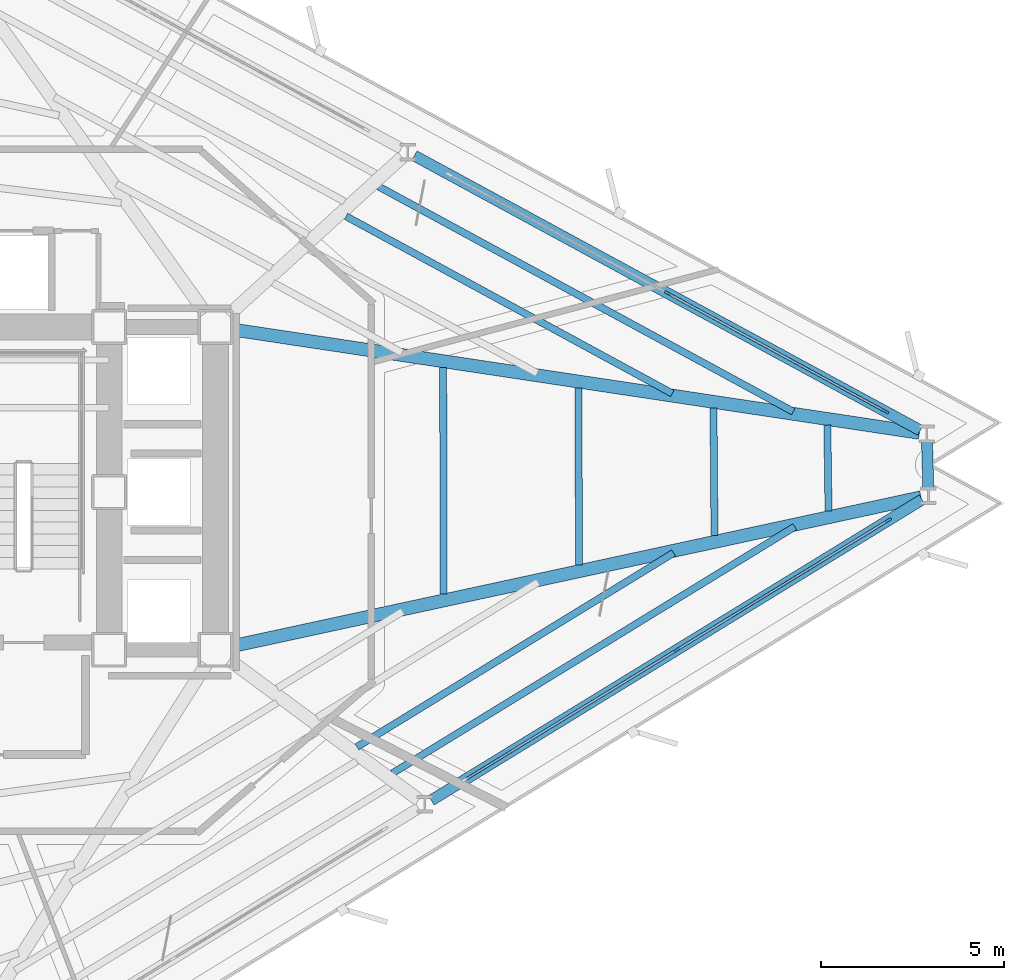
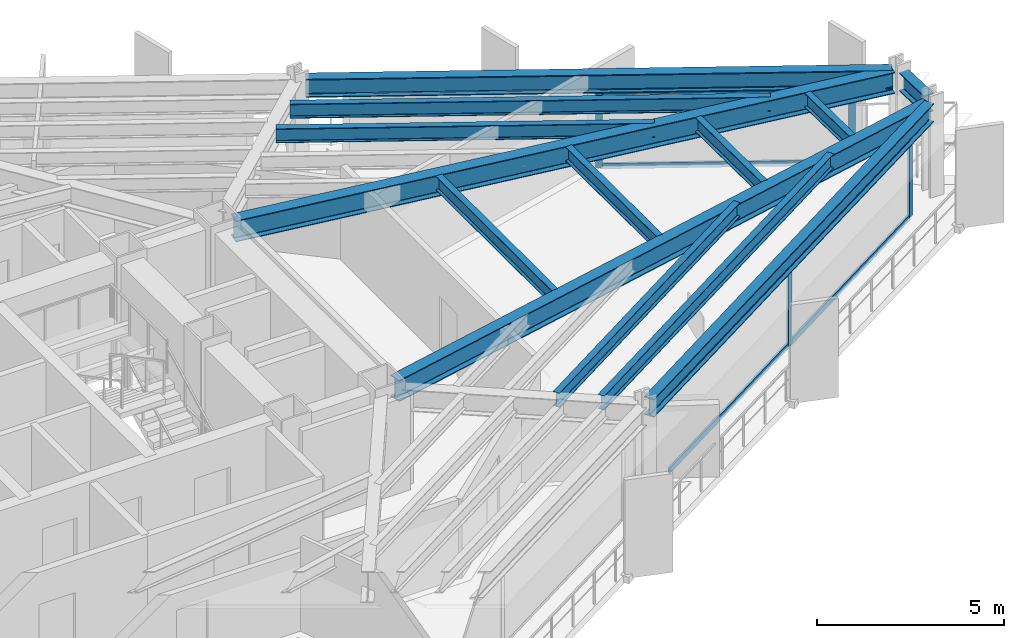
# One storey, part 4 of 14: 13 beams, 10 members, 2 elements without a shape of their own.
"""IFC4 building model written with IfcOpenShell, lengths in metres."""

from ifc_helpers import new_model, si_unit, direction, frame, origin, origin_2d, place, context, subcontext, project, spatial, rectangle, i_section, extrude, material, layer, layer_set, material_profile, profile_set, type_object, element, aggregate, save


model = new_model("IFC4")

# Units and contexts
model_context = context("Model", 3, precision=1e-05, world=origin(), true_north=direction((0.0, 1.0)))
body_context = subcontext(model_context, "Body", "Model", "MODEL_VIEW")
ifc_project = project(units=[si_unit("LENGTHUNIT", "METRE"), si_unit("AREAUNIT", "SQUARE_METRE"), si_unit("VOLUMEUNIT", "CUBIC_METRE"), si_unit("PLANEANGLEUNIT", "RADIAN"), si_unit("MASSUNIT", "GRAM", prefix="KILO")], contexts=[model_context])

# Site, building, storey
site_placement = place(None, origin())
site = spatial("IfcSite", under=ifc_project, at=site_placement, CompositionType="ELEMENT")
building_placement = place(site_placement, origin())
building = spatial("IfcBuilding", under=site, at=building_placement, Name="Rocaltana Carrier Exchange", CompositionType="ELEMENT")
storey_placement = place(building_placement, frame((0.0, 0.0, 35.679931640625)))
storey = spatial("IfcBuildingStorey", under=building, at=storey_placement, Name="L11", CompositionType="ELEMENT", Elevation=35.679931640625)

# Curtain wall, members
ifc_material_1 = material(Name="Aluminium 6063-T6", Category="aluminium")
ifc_layer = layer(ifc_material_1, 0.179931640625)
ifc_layer_set = layer_set([ifc_layer], Name="Aluminium 6063-T6")
curtain_wall_type = type_object("IfcCurtainWallType", Name="Sandstone Spandrel Unitised Curtain Wall CW-01", PredefinedType="NOTDEFINED", material=ifc_layer_set)
curtain_wall_1_placement = place(storey_placement, origin())
curtain_wall_1 = element("IfcCurtainWall", 1, at=curtain_wall_1_placement, inside=storey, type_object=curtain_wall_type, Name="L11 CW-01 Run CW-L11-F1S1", PredefinedType="NOTDEFINED")
ifc_material_2 = material(Name="Aluminium 6063-T6", Category="aluminium")
ifc_material_profile_1 = material_profile(ifc_material_2, rectangle(XDim=0.06494140625, YDim=0.179931640625, at=origin_2d()), Name="AL-65X180")
ifc_profile_set_1 = profile_set([ifc_material_profile_1], Name="Aluminium 6063-T6")
member_type_1 = type_object("IfcMemberType", Name="CW-01 Mullion AL-65X180", PredefinedType="MULLION", material=ifc_profile_set_1)
member_1_placement = place(storey_placement, frame((27.213623046875, 2.19677734375, 0.0), z_axis=(0.0, 0.0, 1.0), x_axis=(-0.477161473226, -0.878815639636, 0.0)))
member_1 = element("IfcMember", 2, at=member_1_placement, type_object=member_type_1, Name="CW-01 mullion 1", PredefinedType="MULLION", context=body_context, shape_type="SweptSolid", body=[
    extrude(rectangle(XDim=0.06494140625, YDim=0.179931640625, at=origin_2d()), origin(), (0.0, 0.0, 1.0), 2.47802734375),
])
member_2_placement = place(storey_placement, frame((21.26611328125, 5.426025390625, 0.0), z_axis=(0.0, 0.0, 1.0), x_axis=(-0.477161473226, -0.878815639636, 0.0)))
member_2 = element("IfcMember", 3, at=member_2_placement, type_object=member_type_1, Name="CW-01 mullion 2", PredefinedType="MULLION", context=body_context, shape_type="SweptSolid", body=[
    extrude(rectangle(XDim=0.06494140625, YDim=0.179931640625, at=origin_2d()), origin(), (0.0, 0.0, 1.0), 2.47802734375),
])

curtain_wall_2_placement = place(storey_placement, origin())
curtain_wall_2 = element("IfcCurtainWall", 4, at=curtain_wall_2_placement, inside=storey, type_object=curtain_wall_type, Name="L11 CW-01 Run CW-L11-F3S3", PredefinedType="NOTDEFINED")
member_3_placement = place(storey_placement, frame((21.52099609375, -4.3056640625, 0.0), z_axis=(0.0, 0.0, 1.0), x_axis=(-0.522499812415, 0.852639399762, 0.0)))
member_3 = element("IfcMember", 5, at=member_3_placement, type_object=member_type_1, Name="CW-01 mullion 2", PredefinedType="MULLION", context=body_context, shape_type="SweptSolid", body=[
    extrude(rectangle(XDim=0.06494140625, YDim=0.179931640625, at=origin_2d()), origin(), (0.0, 0.0, 1.0), 2.47802734375),
])
member_4_placement = place(storey_placement, frame((27.291259765625, -0.76953125, 0.0), z_axis=(0.0, 0.0, 1.0), x_axis=(-0.522499812415, 0.852639399762, 0.0)))
member_4 = element("IfcMember", 6, at=member_4_placement, type_object=member_type_1, Name="CW-01 mullion 3", PredefinedType="MULLION", context=body_context, shape_type="SweptSolid", body=[
    extrude(rectangle(XDim=0.06494140625, YDim=0.179931640625, at=origin_2d()), origin(), (0.0, 0.0, 1.0), 2.47802734375),
])

# Member
ifc_material_3 = material(Name="Aluminium 6063-T6", Category="aluminium")
ifc_material_profile_2 = material_profile(ifc_material_3, rectangle(XDim=0.06494140625, YDim=0.179931640625, at=origin_2d()), Name="AL-65X180")
ifc_profile_set_2 = profile_set([ifc_material_profile_2], Name="Aluminium 6063-T6")
member_type_2 = type_object("IfcMemberType", Name="CW-01 Transom AL-65X180", PredefinedType="USERDEFINED", material=ifc_profile_set_2)
member_5_placement = place(storey_placement, frame((27.18505859375, 2.21240234375, 0.032470703125), z_axis=(-0.878830739565, 0.477133661772, 0.0), x_axis=(-0.477133661772, -0.878830739565, 0.0)))
member_5 = element("IfcMember", 7, at=member_5_placement, type_object=member_type_2, Name="CW-01 transom 1.1", ObjectType="TRANSOM", PredefinedType="USERDEFINED", context=body_context, shape_type="SweptSolid", body=[
    extrude(rectangle(XDim=0.06494140625, YDim=0.179931640625, at=origin_2d()), origin(), (0.0, 0.0, 1.0), 6.70263671875),
])

member_6_placement = place(storey_placement, frame((27.18505859375, 2.21240234375, 2.445556640625), z_axis=(-0.878830739565, 0.477133661772, 0.0), x_axis=(-0.477133661772, -0.878830739565, 0.0)))
member_6 = element("IfcMember", 8, at=member_6_placement, type_object=member_type_2, Name="CW-01 transom 1.2", ObjectType="TRANSOM", PredefinedType="USERDEFINED", context=body_context, shape_type="SweptSolid", body=[
    extrude(rectangle(XDim=0.06494140625, YDim=0.179931640625, at=origin_2d()), origin(), (0.0, 0.0, 1.0), 6.70263671875),
])

aggregate(curtain_wall_1, [member_1, member_2, member_5, member_6])

member_7_placement = place(storey_placement, frame((15.7783203125, -7.82470703125, 0.032470703125), z_axis=(0.85263109068, 0.522513371318, 0.0), x_axis=(-0.522513371318, 0.85263109068, 0.0)))
member_7 = element("IfcMember", 9, at=member_7_placement, type_object=member_type_2, Name="CW-01 transom 1.1", ObjectType="TRANSOM", PredefinedType="USERDEFINED", context=body_context, shape_type="SweptSolid", body=[
    extrude(rectangle(XDim=0.06494140625, YDim=0.179931640625, at=origin_2d()), origin(), (0.0, 0.0, 1.0), 6.70263671875),
])

member_8_placement = place(storey_placement, frame((15.7783203125, -7.82470703125, 2.445556640625), z_axis=(0.85263109068, 0.522513371318, 0.0), x_axis=(-0.522513371318, 0.85263109068, 0.0)))
member_8 = element("IfcMember", 10, at=member_8_placement, type_object=member_type_2, Name="CW-01 transom 1.2", ObjectType="TRANSOM", PredefinedType="USERDEFINED", context=body_context, shape_type="SweptSolid", body=[
    extrude(rectangle(XDim=0.06494140625, YDim=0.179931640625, at=origin_2d()), origin(), (0.0, 0.0, 1.0), 6.70263671875),
])

member_9_placement = place(storey_placement, frame((21.548583984375, -4.28857421875, 0.032470703125), z_axis=(0.85264731822, 0.522486890488, 0.0), x_axis=(-0.522486890488, 0.85264731822, 0.0)))
member_9 = element("IfcMember", 11, at=member_9_placement, type_object=member_type_2, Name="CW-01 transom 2.1", ObjectType="TRANSOM", PredefinedType="USERDEFINED", context=body_context, shape_type="SweptSolid", body=[
    extrude(rectangle(XDim=0.06494140625, YDim=0.179931640625, at=origin_2d()), origin(), (0.0, 0.0, 1.0), 6.702392578125),
])

member_10_placement = place(storey_placement, frame((21.548583984375, -4.28857421875, 2.445556640625), z_axis=(0.85264731822, 0.522486890488, 0.0), x_axis=(-0.522486890488, 0.85264731822, 0.0)))
member_10 = element("IfcMember", 12, at=member_10_placement, type_object=member_type_2, Name="CW-01 transom 2.2", ObjectType="TRANSOM", PredefinedType="USERDEFINED", context=body_context, shape_type="SweptSolid", body=[
    extrude(rectangle(XDim=0.06494140625, YDim=0.179931640625, at=origin_2d()), origin(), (0.0, 0.0, 1.0), 6.702392578125),
])

aggregate(curtain_wall_2, [member_3, member_4, member_7, member_8, member_9, member_10])

# Beams
ifc_material_4 = material(Name="Steel S355", Category="steel")
ifc_material_profile_3 = material_profile(ifc_material_4, i_section(OverallWidth=0.193115234375, OverallDepth=0.466064453125, WebThickness=0.011474609375, FlangeThickness=0.01904296875, FilletRadius=0.013916015625, at=origin_2d()), Name="W18X65")
ifc_profile_set_3 = profile_set([ifc_material_profile_3], Name="Steel S355")
beam_type_1 = type_object("IfcBeamType", Name="Floor Joist W18X65", PredefinedType="JOIST", material=ifc_profile_set_3)
beam_1_placement = place(storey_placement, frame((21.4033203125, 2.68701171875, 2.864990234375), z_axis=(-0.878818466662, 0.477156266494, 0.0), x_axis=(-0.477156266494, -0.878818466662, 0.0)))
element("IfcBeam", 13, at=beam_1_placement, inside=storey, type_object=beam_type_1, Name="FJ-L11-01-3", PredefinedType="JOIST", context=body_context, shape_type="SweptSolid", body=[
    extrude(i_section(OverallWidth=0.193115234375, OverallDepth=0.466064453125, WebThickness=0.011474609375, FlangeThickness=0.01904296875, FilletRadius=0.013916015625, at=origin_2d()), origin(), (0.0, 0.0, 1.0), 10.1220703125),
])
beam_2_placement = place(storey_placement, frame((24.69970703125, 2.19140625, 2.864990234375), z_axis=(-0.878819767198, 0.477153871181, 0.0), x_axis=(-0.477153871181, -0.878819767198, 0.0)))
element("IfcBeam", 14, at=beam_2_placement, inside=storey, type_object=beam_type_1, Name="FJ-L11-01-4", PredefinedType="JOIST", context=body_context, shape_type="SweptSolid", body=[
    extrude(i_section(OverallWidth=0.193115234375, OverallDepth=0.466064453125, WebThickness=0.011474609375, FlangeThickness=0.01904296875, FilletRadius=0.013916015625, at=origin_2d()), origin(), (0.0, 0.0, 1.0), 12.859130859375),
])
beam_3_placement = place(storey_placement, frame((12.805908203125, -6.947998046875, 2.864990234375), z_axis=(0.852634876053, 0.522507194341, 0.0), x_axis=(-0.522507194341, 0.852634876053, 0.0)))
element("IfcBeam", 15, at=beam_3_placement, inside=storey, type_object=beam_type_1, Name="FJ-L11-11-3", PredefinedType="JOIST", context=body_context, shape_type="SweptSolid", body=[
    extrude(i_section(OverallWidth=0.193115234375, OverallDepth=0.466064453125, WebThickness=0.011474609375, FlangeThickness=0.01904296875, FilletRadius=0.013916015625, at=origin_2d()), origin(), (0.0, 0.0, 1.0), 10.1220703125),
])
beam_4_placement = place(storey_placement, frame((13.776123046875, -7.6640625, 2.864990234375), z_axis=(0.852642453123, 0.522494829766, 0.0), x_axis=(-0.522494829766, 0.852642453123, 0.0)))
element("IfcBeam", 16, at=beam_4_placement, inside=storey, type_object=beam_type_1, Name="FJ-L11-11-4", PredefinedType="JOIST", context=body_context, shape_type="SweptSolid", body=[
    extrude(i_section(OverallWidth=0.193115234375, OverallDepth=0.466064453125, WebThickness=0.011474609375, FlangeThickness=0.01904296875, FilletRadius=0.013916015625, at=origin_2d()), origin(), (0.0, 0.0, 1.0), 12.85888671875),
])
beam_5_placement = place(storey_placement, frame((15.168701171875, -2.7841796875, 2.864990234375), z_axis=(-0.00213328634, 0.999997724542, 0.0), x_axis=(-0.999997724542, -0.00213328634, 0.0)))
element("IfcBeam", 17, at=beam_5_placement, inside=storey, type_object=beam_type_1, Name="FJ-L11-12-1", PredefinedType="JOIST", context=body_context, shape_type="SweptSolid", body=[
    extrude(i_section(OverallWidth=0.193115234375, OverallDepth=0.466064453125, WebThickness=0.011474609375, FlangeThickness=0.01904296875, FilletRadius=0.013916015625, at=origin_2d()), origin(), (0.0, 0.0, 1.0), 6.179931640625),
])
beam_6_placement = place(storey_placement, frame((18.861083984375, -1.986083984375, 2.864990234375), z_axis=(-0.004348884286, 0.999990543558, 0.0), x_axis=(-0.999990543558, -0.004348884286, 0.0)))
element("IfcBeam", 18, at=beam_6_placement, inside=storey, type_object=beam_type_1, Name="FJ-L11-12-2", PredefinedType="JOIST", context=body_context, shape_type="SweptSolid", body=[
    extrude(i_section(OverallWidth=0.193115234375, OverallDepth=0.466064453125, WebThickness=0.011474609375, FlangeThickness=0.01904296875, FilletRadius=0.013916015625, at=origin_2d()), origin(), (0.0, 0.0, 1.0), 4.827880859375),
])
beam_7_placement = place(storey_placement, frame((22.552978515625, -1.188232421875, 2.864990234375), z_axis=(-0.008076713655, 0.999967382816, 0.0), x_axis=(-0.999967382816, -0.008076713655, 0.0)))
element("IfcBeam", 19, at=beam_7_placement, inside=storey, type_object=beam_type_1, Name="FJ-L11-12-3", PredefinedType="JOIST", context=body_context, shape_type="SweptSolid", body=[
    extrude(i_section(OverallWidth=0.193115234375, OverallDepth=0.466064453125, WebThickness=0.011474609375, FlangeThickness=0.01904296875, FilletRadius=0.013916015625, at=origin_2d()), origin(), (0.0, 0.0, 1.0), 3.47607421875),
])
beam_8_placement = place(storey_placement, frame((25.661376953125, -0.51611328125, 2.864990234375), z_axis=(-0.014097815542, 0.99990062086, 0.0), x_axis=(-0.99990062086, -0.014097815542, 0.0)))
element("IfcBeam", 20, at=beam_8_placement, inside=storey, type_object=beam_type_1, Name="FJ-L11-12-4", PredefinedType="JOIST", context=body_context, shape_type="SweptSolid", body=[
    extrude(i_section(OverallWidth=0.193115234375, OverallDepth=0.466064453125, WebThickness=0.011474609375, FlangeThickness=0.01904296875, FilletRadius=0.013916015625, at=origin_2d()), origin(), (0.0, 0.0, 1.0), 2.337890625),
])
ifc_material_5 = material(Name="Steel S355", Category="steel")
ifc_material_profile_4 = material_profile(ifc_material_5, i_section(OverallWidth=0.35498046875, OverallDepth=0.695068359375, WebThickness=0.015380859375, FlangeThickness=0.02490234375, FilletRadius=0.01806640625, at=origin_2d()), Name="W27X146")
ifc_profile_set_4 = profile_set([ifc_material_profile_4], Name="Steel S355")
beam_type_2 = type_object("IfcBeamType", Name="Radial Girder W27X146", PredefinedType="BEAM", material=ifc_profile_set_4)
beam_9_placement = place(storey_placement, frame((9.411865234375, 4.4306640625, 2.75048828125), z_axis=(0.988886936912, -0.148669519418, 0.0), x_axis=(0.148669519418, 0.988886936912, 0.0)))
element("IfcBeam", 21, at=beam_9_placement, inside=storey, type_object=beam_type_2, Name="RG-L11-01", PredefinedType="BEAM", context=body_context, shape_type="SweptSolid", body=[
    extrude(i_section(OverallWidth=0.35498046875, OverallDepth=0.695068359375, WebThickness=0.015380859375, FlangeThickness=0.02490234375, FilletRadius=0.01806640625, at=origin_2d()), origin(), (0.0, 0.0, 1.0), 18.9375),
])
beam_10_placement = place(storey_placement, frame((9.406494140625, -4.201416015625, 2.75048828125), z_axis=(0.977429699022, 0.211260936923, 0.0), x_axis=(-0.211260936923, 0.977429699022, 0.0)))
element("IfcBeam", 22, at=beam_10_placement, inside=storey, type_object=beam_type_2, Name="RG-L11-12", PredefinedType="BEAM", context=body_context, shape_type="SweptSolid", body=[
    extrude(i_section(OverallWidth=0.35498046875, OverallDepth=0.695068359375, WebThickness=0.015380859375, FlangeThickness=0.02490234375, FilletRadius=0.01806640625, at=origin_2d()), origin(), (0.0, 0.0, 1.0), 19.21240234375),
])
ifc_material_6 = material(Name="Steel S355", Category="steel")
ifc_material_profile_5 = material_profile(ifc_material_6, i_section(OverallWidth=0.300048828125, OverallDepth=0.60009765625, WebThickness=0.015380859375, FlangeThickness=0.030029296875, FilletRadius=0.027099609375, at=origin_2d()), Name="HEB600")
ifc_profile_set_5 = profile_set([ifc_material_profile_5], Name="Steel S355")
beam_type_3 = type_object("IfcBeamType", Name="Spandrel Edge Beam HEB600", PredefinedType="SPANDREL", material=ifc_profile_set_5)
for number, where, z_axis, x_axis, name in (
    (23, (28.161376953125, 1.68212890625, 2.798095703125), (-0.878809627373, 0.47717254619, 0.0), (-0.47717254619, -0.878809627373, 0.0), "SP-L11-01"),
    (24, (14.8310546875, -8.405029296875, 2.798095703125), (0.852642393394, 0.522494927236, 0.0), (-0.522494927236, 0.852642393394, 0.0), "SP-L11-11"),
):
    element("IfcBeam", number, at=place(storey_placement, frame(where, z_axis=z_axis, x_axis=x_axis)), inside=storey, type_object=beam_type_3, Name=name, PredefinedType="SPANDREL", context=body_context, shape_type="SweptSolid", body=[
        extrude(i_section(OverallWidth=0.300048828125, OverallDepth=0.60009765625, WebThickness=0.015380859375, FlangeThickness=0.030029296875, FilletRadius=0.027099609375, at=origin_2d()), origin(), (0.0, 0.0, 1.0), 15.69189453125),
    ])
beam_11_placement = place(storey_placement, frame((28.37939453125, 0.1044921875, 2.798095703125), z_axis=(-0.026191050472, 0.999656955598, 0.0), x_axis=(-0.999656955598, -0.026191050472, 0.0)))
element("IfcBeam", 25, at=beam_11_placement, inside=storey, type_object=beam_type_3, Name="SP-L11-12", PredefinedType="SPANDREL", context=body_context, shape_type="SweptSolid", body=[
    extrude(i_section(OverallWidth=0.300048828125, OverallDepth=0.60009765625, WebThickness=0.015380859375, FlangeThickness=0.030029296875, FilletRadius=0.027099609375, at=origin_2d()), origin(), (0.0, 0.0, 1.0), 1.277099609375),
])

save(model, "model.ifc")
